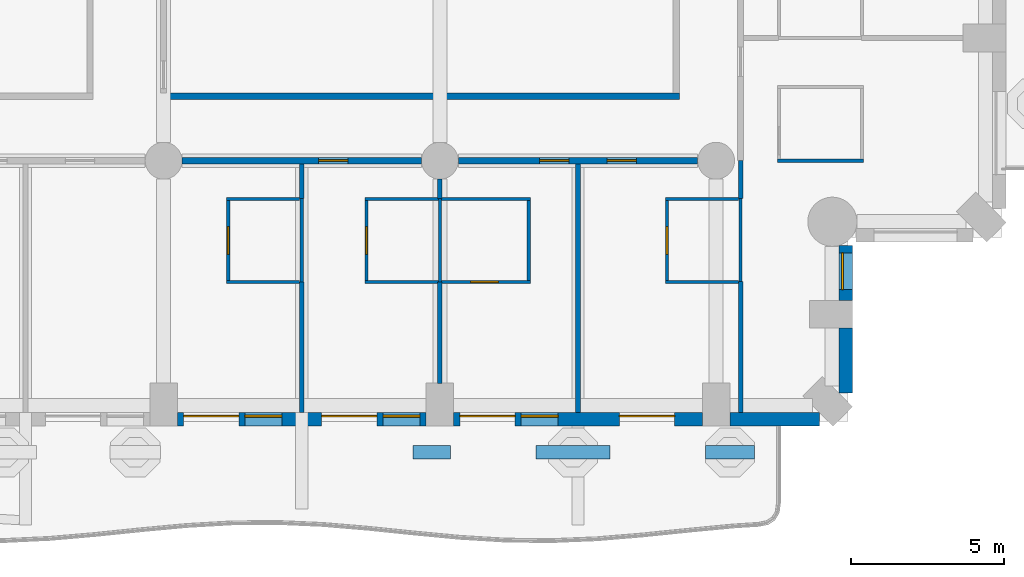
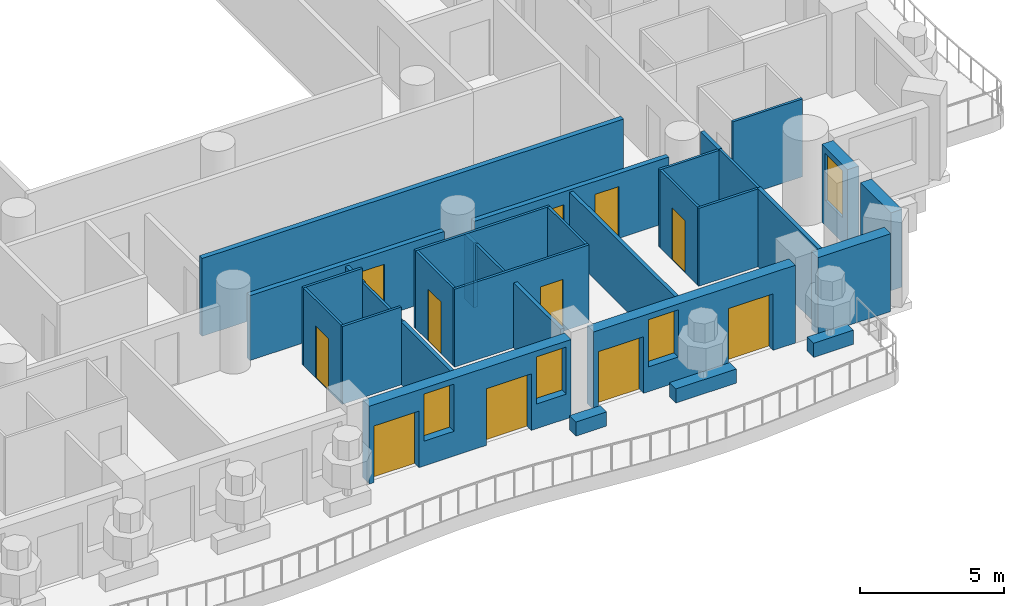
# One storey, part 5 of 20: 32 walls, 11 doors, 4 windows, 15 openings.
"""IFC4 building model written with IfcOpenShell, lengths in metres."""

from ifc_helpers import new_model, si_unit, direction, frame, frame_2d, origin, place, context, subcontext, project, spatial, rectangle, extrude, material, layer, layer_set, type_object, element, fill, save


model = new_model("IFC4")

# Units and contexts
model_context = context("Model", 3, precision=1e-05, world=origin(), true_north=direction((0.0, 1.0)))
body_context = subcontext(model_context, "Body", "Model", "MODEL_VIEW")
ifc_project = project(units=[si_unit("LENGTHUNIT", "METRE"), si_unit("AREAUNIT", "SQUARE_METRE"), si_unit("VOLUMEUNIT", "CUBIC_METRE"), si_unit("PLANEANGLEUNIT", "RADIAN"), si_unit("MASSUNIT", "GRAM", prefix="KILO")], contexts=[model_context])

# Site, building, storey
site_placement = place(None, origin())
site = spatial("IfcSite", under=ifc_project, at=site_placement, CompositionType="ELEMENT")
building_placement = place(site_placement, origin())
building = spatial("IfcBuilding", under=site, at=building_placement, Name="Cypress Arch Tower", CompositionType="ELEMENT")
storey_placement = place(building_placement, frame((0.0, 0.0, 59.10009765625)))
storey = spatial("IfcBuildingStorey", under=building, at=storey_placement, Name="L08", CompositionType="ELEMENT", Elevation=59.10009765625)

# Walls
ifc_material_1 = material(Name="Concrete C40/50, waterproofed", Category="concrete")
ifc_layer_1 = layer(ifc_material_1, 0.449951171875)
ifc_layer_set_1 = layer_set([ifc_layer_1], Name="Balcony planter wall PW450")
wall_type_1 = type_object("IfcWallType", Name="Balcony planter wall PW450", PredefinedType="SOLIDWALL", material=ifc_layer_set_1)
wall_1_placement = place(storey_placement, frame((5.419921875, -27.0, 0.0), z_axis=(0.0, 0.0, 1.0), x_axis=(1.0, 0.0, 0.0)))
element("IfcWall", 1, at=wall_1_placement, inside=storey, type_object=wall_type_1, Name="Balcony planter wall L08-A03.5", PredefinedType="SOLIDWALL", context=body_context, shape_type="SweptSolid", body=[
    extrude(rectangle(XDim=1.22998046875, YDim=0.449951171875, at=frame_2d((0.614990234375, 0.0))), origin(), (0.0, 0.0, 1.0), 0.599853515625),
])
wall_2_placement = place(storey_placement, frame((9.429931640625, -27.0, 0.0), z_axis=(0.0, 0.0, 1.0), x_axis=(1.0, 0.0, 0.0)))
element("IfcWall", 2, at=wall_2_placement, inside=storey, type_object=wall_type_1, Name="Balcony planter wall L08-A03.6", PredefinedType="SOLIDWALL", context=body_context, shape_type="SweptSolid", body=[
    extrude(rectangle(XDim=2.420166015625, YDim=0.449951171875, at=frame_2d((1.2099609375, 0.0))), origin(), (0.0, 0.0, 1.0), 0.599853515625),
])
wall_3_placement = place(storey_placement, frame((14.949951171875, -27.0, 0.0), z_axis=(0.0, 0.0, 1.0), x_axis=(1.0, 0.0, 0.0)))
element("IfcWall", 3, at=wall_3_placement, inside=storey, type_object=wall_type_1, Name="Balcony planter wall L08-A03.7", PredefinedType="SOLIDWALL", context=body_context, shape_type="SweptSolid", body=[
    extrude(rectangle(XDim=1.60009765625, YDim=0.449951171875, at=frame_2d((0.800048828125, 0.0))), origin(), (0.0, 0.0, 1.0), 0.599853515625),
])

# Wall, openings, doors, windows
ifc_material_2 = material(Name="Brick (red buff blend)", Category="masonry")
ifc_layer_2 = layer(ifc_material_2, 0.449951171875)
ifc_layer_set_2 = layer_set([ifc_layer_2], Name="Brick pier and spandrel wall BW450")
wall_type_2 = type_object("IfcWallType", Name="Brick pier and spandrel wall BW450", PredefinedType="SOLIDWALL", material=ifc_layer_set_2)
wall_4_placement = place(storey_placement, frame((-2.25, -25.925048828125, 0.0), z_axis=(0.0, 0.0, 1.0), x_axis=(1.0, 0.0, 0.0)))
wall_4 = element("IfcWall", 4, at=wall_4_placement, inside=storey, type_object=wall_type_2, Name="Brick wall L08 A03.3", PredefinedType="SOLIDWALL", context=body_context, shape_type="SweptSolid", body=[
    extrude(rectangle(XDim=8.10009765625, YDim=0.449951171875, at=frame_2d((4.050048828125, 0.0))), origin(), (0.0, 0.0, 1.0), 3.2998046875),
])
opening_1_placement = place(wall_4_placement, frame((0.199951171875, 0.0, 0.0)))
opening_1 = element("IfcOpeningElement", 5, at=opening_1_placement, cuts=wall_4, Name="Opening D-L08-A03.3.1", PredefinedType="OPENING", context=body_context, shape_type="SweptSolid", body=[
    extrude(rectangle(XDim=1.800048828125, YDim=2.39990234375, at=frame_2d((0.89990234375, 1.199951171875))), frame((0.0, 0.23486328125, 0.0), z_axis=(0.0, -1.0, 0.0), x_axis=(1.0, 0.0, 0.0)), (0.0, 0.0, 1.0), 0.469970703125),
])
opening_2_placement = place(wall_4_placement, frame((2.199951171875, 0.0, 1.050048828125)))
opening_2 = element("IfcOpeningElement", 6, at=opening_2_placement, cuts=wall_4, Name="Opening W120HD", PredefinedType="OPENING", context=body_context, shape_type="SweptSolid", body=[
    extrude(rectangle(XDim=1.199951171875, YDim=2.0, at=frame_2d((0.60009765625, 1.0))), frame((0.0, 0.23486328125, 0.0), z_axis=(0.0, -1.0, 0.0), x_axis=(1.0, 0.0, 0.0)), (0.0, 0.0, 1.0), 0.469970703125),
])
opening_3_placement = place(wall_4_placement, frame((4.699951171875, 0.0, 0.0)))
opening_3 = element("IfcOpeningElement", 7, at=opening_3_placement, cuts=wall_4, Name="Opening D-L08-A03.3.2", PredefinedType="OPENING", context=body_context, shape_type="SweptSolid", body=[
    extrude(rectangle(XDim=1.800048828125, YDim=2.39990234375, at=frame_2d((0.89990234375, 1.199951171875))), frame((0.0, 0.23486328125, 0.0), z_axis=(0.0, -1.0, 0.0), x_axis=(1.0, 0.0, 0.0)), (0.0, 0.0, 1.0), 0.469970703125),
])
opening_4_placement = place(wall_4_placement, frame((6.699951171875, 0.0, 1.050048828125)))
opening_4 = element("IfcOpeningElement", 8, at=opening_4_placement, cuts=wall_4, Name="Opening W120HD", PredefinedType="OPENING", context=body_context, shape_type="SweptSolid", body=[
    extrude(rectangle(XDim=1.199951171875, YDim=2.0, at=frame_2d((0.60009765625, 1.0))), frame((0.0, 0.23486328125, 0.0), z_axis=(0.0, -1.0, 0.0), x_axis=(1.0, 0.0, 0.0)), (0.0, 0.0, 1.0), 0.469970703125),
])
ifc_material_3 = material(Name="Anodised aluminium, bronze finish, laminated low-emissivity double glazing, large-missile impact rated", Category="aluminium")
door_type_1 = type_object("IfcDoorType", Name="Balcony sliding door 1800x2400", OperationType="SLIDING_TO_LEFT", PredefinedType="DOOR", material=ifc_material_3)
door_1_placement = place(opening_1_placement, origin())
door_1 = element("IfcDoor", 9, at=door_1_placement, inside=storey, type_object=door_type_1, Name="Balcony door L08 A03.3.1", OperationType="SLIDING_TO_LEFT", OverallHeight=2.39990234375, OverallWidth=1.800048828125, PredefinedType="DOOR", context=body_context, shape_type="SweptSolid", body=[
    extrude(rectangle(XDim=1.800048828125, YDim=2.39990234375, at=frame_2d((0.89990234375, 1.199951171875))), frame((0.0, 0.1298828125, 0.0), z_axis=(0.0, -1.0, 0.0), x_axis=(1.0, 0.0, 0.0)), (0.0, 0.0, 1.0), 0.050048828125),
])
fill(opening_1, door_1)
door_2_placement = place(opening_3_placement, origin())
door_2 = element("IfcDoor", 10, at=door_2_placement, inside=storey, type_object=door_type_1, Name="Balcony door L08 A03.3.2", OperationType="SLIDING_TO_LEFT", OverallHeight=2.39990234375, OverallWidth=1.800048828125, PredefinedType="DOOR", context=body_context, shape_type="SweptSolid", body=[
    extrude(rectangle(XDim=1.800048828125, YDim=2.39990234375, at=frame_2d((0.89990234375, 1.199951171875))), frame((0.0, 0.1298828125, 0.0), z_axis=(0.0, -1.0, 0.0), x_axis=(1.0, 0.0, 0.0)), (0.0, 0.0, 1.0), 0.050048828125),
])
fill(opening_3, door_2)
ifc_material_4 = material(Name="Anodised aluminium, bronze finish, laminated low-emissivity double glazing, large-missile impact rated", Category="aluminium")
window_type_1 = type_object("IfcWindowType", Name="Window Hotel 1200x2000 debris-rated", PartitioningType="SINGLE_PANEL", PredefinedType="WINDOW", material=ifc_material_4)
window_1_placement = place(opening_2_placement, origin())
window_1 = element("IfcWindow", 11, at=window_1_placement, inside=storey, type_object=window_type_1, Name="Window L08 A03.3.1", OverallHeight=2.0, OverallWidth=1.199951171875, PartitioningType="SINGLE_PANEL", PredefinedType="WINDOW", context=body_context, shape_type="SweptSolid", body=[
    extrude(rectangle(XDim=1.199951171875, YDim=2.0, at=frame_2d((0.60009765625, 1.0))), frame((0.0, 0.135009765625, 0.0), z_axis=(0.0, -1.0, 0.0), x_axis=(1.0, 0.0, 0.0)), (0.0, 0.0, 1.0), 0.06005859375),
])
fill(opening_2, window_1)
window_2_placement = place(opening_4_placement, origin())
window_2 = element("IfcWindow", 12, at=window_2_placement, inside=storey, type_object=window_type_1, Name="Window L08 A03.3.2", OverallHeight=2.0, OverallWidth=1.199951171875, PartitioningType="SINGLE_PANEL", PredefinedType="WINDOW", context=body_context, shape_type="SweptSolid", body=[
    extrude(rectangle(XDim=1.199951171875, YDim=2.0, at=frame_2d((0.60009765625, 1.0))), frame((0.0, 0.135009765625, 0.0), z_axis=(0.0, -1.0, 0.0), x_axis=(1.0, 0.0, 0.0)), (0.0, 0.0, 1.0), 0.06005859375),
])
fill(opening_4, window_2)

# Wall, openings, doors, window
wall_5_placement = place(storey_placement, frame((6.75, -25.925048828125, 0.0), z_axis=(0.0, 0.0, 1.0), x_axis=(1.0, 0.0, 0.0)))
wall_5 = element("IfcWall", 13, at=wall_5_placement, inside=storey, type_object=wall_type_2, Name="Brick wall L08 A03.4", PredefinedType="SOLIDWALL", context=body_context, shape_type="SweptSolid", body=[
    extrude(rectangle(XDim=8.10009765625, YDim=0.449951171875, at=frame_2d((4.050048828125, 0.0))), origin(), (0.0, 0.0, 1.0), 3.2998046875),
])
opening_5_placement = place(wall_5_placement, frame((0.199951171875, 0.0, 0.0)))
opening_5 = element("IfcOpeningElement", 14, at=opening_5_placement, cuts=wall_5, Name="Opening D-L08-A03.4.1", PredefinedType="OPENING", context=body_context, shape_type="SweptSolid", body=[
    extrude(rectangle(XDim=1.800048828125, YDim=2.39990234375, at=frame_2d((0.89990234375, 1.199951171875))), frame((0.0, 0.23486328125, 0.0), z_axis=(0.0, -1.0, 0.0), x_axis=(1.0, 0.0, 0.0)), (0.0, 0.0, 1.0), 0.469970703125),
])
opening_6_placement = place(wall_5_placement, frame((2.199951171875, 0.0, 1.050048828125)))
opening_6 = element("IfcOpeningElement", 15, at=opening_6_placement, cuts=wall_5, Name="Opening W120HD", PredefinedType="OPENING", context=body_context, shape_type="SweptSolid", body=[
    extrude(rectangle(XDim=1.199951171875, YDim=2.0, at=frame_2d((0.60009765625, 1.0))), frame((0.0, 0.23486328125, 0.0), z_axis=(0.0, -1.0, 0.0), x_axis=(1.0, 0.0, 0.0)), (0.0, 0.0, 1.0), 0.469970703125),
])
opening_7_placement = place(wall_5_placement, frame((5.39990234375, 0.0, 0.0)))
opening_7 = element("IfcOpeningElement", 16, at=opening_7_placement, cuts=wall_5, Name="Opening D-L08-A03.4.2", PredefinedType="OPENING", context=body_context, shape_type="SweptSolid", body=[
    extrude(rectangle(XDim=1.800048828125, YDim=2.39990234375, at=frame_2d((0.89990234375, 1.199951171875))), frame((0.0, 0.23486328125, 0.0), z_axis=(0.0, -1.0, 0.0), x_axis=(1.0, 0.0, 0.0)), (0.0, 0.0, 1.0), 0.469970703125),
])
door_3_placement = place(opening_5_placement, origin())
door_3 = element("IfcDoor", 17, at=door_3_placement, inside=storey, type_object=door_type_1, Name="Balcony door L08 A03.4.1", OperationType="SLIDING_TO_LEFT", OverallHeight=2.39990234375, OverallWidth=1.800048828125, PredefinedType="DOOR", context=body_context, shape_type="SweptSolid", body=[
    extrude(rectangle(XDim=1.800048828125, YDim=2.39990234375, at=frame_2d((0.89990234375, 1.199951171875))), frame((0.0, 0.1298828125, 0.0), z_axis=(0.0, -1.0, 0.0), x_axis=(1.0, 0.0, 0.0)), (0.0, 0.0, 1.0), 0.050048828125),
])
fill(opening_5, door_3)
door_4_placement = place(opening_7_placement, origin())
door_4 = element("IfcDoor", 18, at=door_4_placement, inside=storey, type_object=door_type_1, Name="Balcony door L08 A03.4.2", OperationType="SLIDING_TO_LEFT", OverallHeight=2.39990234375, OverallWidth=1.800048828125, PredefinedType="DOOR", context=body_context, shape_type="SweptSolid", body=[
    extrude(rectangle(XDim=1.800048828125, YDim=2.39990234375, at=frame_2d((0.89990234375, 1.199951171875))), frame((0.0, 0.1298828125, 0.0), z_axis=(0.0, -1.0, 0.0), x_axis=(1.0, 0.0, 0.0)), (0.0, 0.0, 1.0), 0.050048828125),
])
fill(opening_7, door_4)
window_3_placement = place(opening_6_placement, origin())
window_3 = element("IfcWindow", 19, at=window_3_placement, inside=storey, type_object=window_type_1, Name="Window L08 A03.4.1", OverallHeight=2.0, OverallWidth=1.199951171875, PartitioningType="SINGLE_PANEL", PredefinedType="WINDOW", context=body_context, shape_type="SweptSolid", body=[
    extrude(rectangle(XDim=1.199951171875, YDim=2.0, at=frame_2d((0.60009765625, 1.0))), frame((0.0, 0.135009765625, 0.0), z_axis=(0.0, -1.0, 0.0), x_axis=(1.0, 0.0, 0.0)), (0.0, 0.0, 1.0), 0.06005859375),
])
fill(opening_6, window_3)

# Walls
wall_6_placement = place(storey_placement, frame((15.75, -25.925048828125, 0.0), z_axis=(0.0, 0.0, 1.0), x_axis=(1.0, 0.0, 0.0)))
element("IfcWall", 20, at=wall_6_placement, inside=storey, type_object=wall_type_2, Name="Brick wall L08 A03.5", PredefinedType="SOLIDWALL", context=body_context, shape_type="SweptSolid", body=[
    extrude(rectangle(XDim=2.91357421875, YDim=0.449951171875, at=frame_2d((1.456787109375, 0.0))), origin(), (0.0, 0.0, 1.0), 3.2998046875),
])
wall_7_placement = place(storey_placement, frame((19.52490234375, -25.063720703125, 0.0), z_axis=(0.0, 0.0, 1.0), x_axis=(0.0, 1.0, 0.0)))
element("IfcWall", 21, at=wall_7_placement, inside=storey, type_object=wall_type_2, Name="Brick wall L08 A04.0", PredefinedType="SOLIDWALL", context=body_context, shape_type="SweptSolid", body=[
    extrude(rectangle(XDim=2.11376953125, YDim=0.449951171875, at=frame_2d((1.056884765625, 0.0))), origin(), (0.0, 0.0, 1.0), 3.2998046875),
])

# Wall, opening, window
wall_8_placement = place(storey_placement, frame((19.52490234375, -22.050048828125, 0.0), z_axis=(0.0, 0.0, 1.0), x_axis=(0.0, 1.0, 0.0)))
wall_8 = element("IfcWall", 22, at=wall_8_placement, inside=storey, type_object=wall_type_2, Name="Brick wall L08 A04.1", PredefinedType="SOLIDWALL", context=body_context, shape_type="SweptSolid", body=[
    extrude(rectangle(XDim=1.79150390625, YDim=0.449951171875, at=frame_2d((0.895751953125, 0.0))), origin(), (0.0, 0.0, 1.0), 3.2998046875),
])
opening_8_placement = place(wall_8_placement, frame((0.35009765625, 0.0, 1.050048828125)))
opening_8 = element("IfcOpeningElement", 23, at=opening_8_placement, cuts=wall_8, Name="Opening W120H", PredefinedType="OPENING", context=body_context, shape_type="SweptSolid", body=[
    extrude(rectangle(XDim=1.199951171875, YDim=2.0, at=frame_2d((0.60009765625, 1.0))), frame((0.0, 0.23486328125, 0.0), z_axis=(0.0, -1.0, 0.0), x_axis=(1.0, 0.0, 0.0)), (0.0, 0.0, 1.0), 0.469970703125),
])
ifc_material_5 = material(Name="Anodised aluminium, bronze finish, clear low-emissivity double glazing", Category="aluminium")
window_type_2 = type_object("IfcWindowType", Name="Window Hotel 1200x2000", PartitioningType="SINGLE_PANEL", PredefinedType="WINDOW", material=ifc_material_5)
window_4_placement = place(opening_8_placement, origin())
window_4 = element("IfcWindow", 24, at=window_4_placement, inside=storey, type_object=window_type_2, Name="Window L08 A04.1.1", OverallHeight=2.0, OverallWidth=1.199951171875, PartitioningType="SINGLE_PANEL", PredefinedType="WINDOW", context=body_context, shape_type="SweptSolid", body=[
    extrude(rectangle(XDim=1.199951171875, YDim=2.0, at=frame_2d((0.60009765625, 1.0))), frame((0.0, 0.135009765625, 0.0), z_axis=(0.0, -1.0, 0.0), x_axis=(1.0, 0.0, 0.0)), (0.0, 0.0, 1.0), 0.06005859375),
])
fill(opening_8, window_4)

# Wall, opening, door
ifc_material_6 = material(Name="Concrete blockwork, plastered, rated", Category="masonry")
ifc_layer_3 = layer(ifc_material_6, 0.199951171875)
ifc_layer_set_3 = layer_set([ifc_layer_3], Name="Corridor wall FW200")
wall_type_3 = type_object("IfcWallType", Name="Corridor wall FW200", PredefinedType="PARTITIONING", material=ifc_layer_set_3)
wall_9_placement = place(storey_placement, frame((-2.10009765625, -17.5, 0.0), z_axis=(0.0, 0.0, 1.0), x_axis=(1.0, 0.0, 0.0)))
wall_9 = element("IfcWall", 25, at=wall_9_placement, inside=storey, type_object=wall_type_3, Name="Corridor wall", PredefinedType="PARTITIONING", context=body_context, shape_type="SweptSolid", body=[
    extrude(rectangle(XDim=7.800048828125, YDim=0.199951171875, at=frame_2d((3.89990234375, 0.0))), origin(), (0.0, 0.0, 1.0), 2.75),
])
opening_9_placement = place(wall_9_placement, frame((4.449951171875, 0.0, 0.0)))
opening_9 = element("IfcOpeningElement", 26, at=opening_9_placement, cuts=wall_9, Name="Opening D02", PredefinedType="OPENING", context=body_context, shape_type="SweptSolid", body=[
    extrude(rectangle(XDim=0.949951171875, YDim=2.199951171875, at=frame_2d((0.47509765625, 1.10009765625))), frame((0.0, 0.10986328125, 0.0), z_axis=(0.0, -1.0, 0.0), x_axis=(1.0, 0.0, 0.0)), (0.0, 0.0, 1.0), 0.219970703125),
])
ifc_material_7 = material(Name="Timber flush door, fire resisting", Category="wood")
door_type_2 = type_object("IfcDoorType", Name="Room door D02 950x2200", OperationType="SINGLE_SWING_LEFT", PredefinedType="DOOR", material=ifc_material_7)
door_5_placement = place(opening_9_placement, origin())
door_5 = element("IfcDoor", 27, at=door_5_placement, inside=storey, type_object=door_type_2, Name="Room door", OperationType="SINGLE_SWING_RIGHT", OverallHeight=2.199951171875, OverallWidth=0.949951171875, PredefinedType="DOOR", context=body_context, shape_type="SweptSolid", body=[
    extrude(rectangle(XDim=0.949951171875, YDim=2.199951171875, at=frame_2d((0.47509765625, 1.10009765625))), frame((0.0, 0.02490234375, 0.0), z_axis=(0.0, -1.0, 0.0), x_axis=(1.0, 0.0, 0.0)), (0.0, 0.0, 1.0), 0.050048828125),
])
fill(opening_9, door_5)

# Wall, openings, doors
wall_10_placement = place(storey_placement, frame((6.89990234375, -17.5, 0.0), z_axis=(0.0, 0.0, 1.0), x_axis=(1.0, 0.0, 0.0)))
wall_10 = element("IfcWall", 28, at=wall_10_placement, inside=storey, type_object=wall_type_3, Name="Corridor wall", PredefinedType="PARTITIONING", context=body_context, shape_type="SweptSolid", body=[
    extrude(rectangle(XDim=7.800048828125, YDim=0.199951171875, at=frame_2d((3.89990234375, 0.0))), origin(), (0.0, 0.0, 1.0), 2.75),
])
opening_10_placement = place(wall_10_placement, frame((2.64990234375, 0.0, 0.0)))
opening_10 = element("IfcOpeningElement", 29, at=opening_10_placement, cuts=wall_10, Name="Opening D02", PredefinedType="OPENING", context=body_context, shape_type="SweptSolid", body=[
    extrude(rectangle(XDim=0.949951171875, YDim=2.199951171875, at=frame_2d((0.47509765625, 1.10009765625))), frame((0.0, 0.10986328125, 0.0), z_axis=(0.0, -1.0, 0.0), x_axis=(1.0, 0.0, 0.0)), (0.0, 0.0, 1.0), 0.219970703125),
])
opening_11_placement = place(wall_10_placement, frame((4.85009765625, 0.0, 0.0)))
opening_11 = element("IfcOpeningElement", 30, at=opening_11_placement, cuts=wall_10, Name="Opening D02", PredefinedType="OPENING", context=body_context, shape_type="SweptSolid", body=[
    extrude(rectangle(XDim=0.949951171875, YDim=2.199951171875, at=frame_2d((0.47509765625, 1.10009765625))), frame((0.0, 0.10986328125, 0.0), z_axis=(0.0, -1.0, 0.0), x_axis=(1.0, 0.0, 0.0)), (0.0, 0.0, 1.0), 0.219970703125),
])
door_6_placement = place(opening_10_placement, origin())
door_6 = element("IfcDoor", 31, at=door_6_placement, inside=storey, type_object=door_type_2, Name="Room door", OperationType="SINGLE_SWING_LEFT", OverallHeight=2.199951171875, OverallWidth=0.949951171875, PredefinedType="DOOR", context=body_context, shape_type="SweptSolid", body=[
    extrude(rectangle(XDim=0.949951171875, YDim=2.199951171875, at=frame_2d((0.47509765625, 1.10009765625))), frame((0.0, 0.02490234375, 0.0), z_axis=(0.0, -1.0, 0.0), x_axis=(1.0, 0.0, 0.0)), (0.0, 0.0, 1.0), 0.050048828125),
])
fill(opening_10, door_6)
door_7_placement = place(opening_11_placement, origin())
door_7 = element("IfcDoor", 32, at=door_7_placement, inside=storey, type_object=door_type_2, Name="Room door", OperationType="SINGLE_SWING_RIGHT", OverallHeight=2.199951171875, OverallWidth=0.949951171875, PredefinedType="DOOR", context=body_context, shape_type="SweptSolid", body=[
    extrude(rectangle(XDim=0.949951171875, YDim=2.199951171875, at=frame_2d((0.47509765625, 1.10009765625))), frame((0.0, 0.02490234375, 0.0), z_axis=(0.0, -1.0, 0.0), x_axis=(1.0, 0.0, 0.0)), (0.0, 0.0, 1.0), 0.050048828125),
])
fill(opening_11, door_7)

# Walls
wall_11_placement = place(storey_placement, frame((-2.800048828125, -15.39990234375, 0.0), z_axis=(0.0, 0.0, 1.0), x_axis=(1.0, 0.0, 0.0)))
element("IfcWall", 33, at=wall_11_placement, inside=storey, type_object=wall_type_3, Name="Corridor wall", PredefinedType="PARTITIONING", context=body_context, shape_type="SweptSolid", body=[
    extrude(rectangle(XDim=16.900146484375, YDim=0.199951171875, at=frame_2d((8.4501953125, 0.0))), origin(), (0.0, 0.0, 1.0), 3.2998046875),
])
ifc_material_8 = material(Name="Blockwork, plastered both sides", Category="masonry")
ifc_layer_4 = layer(ifc_material_8, 0.14990234375)
ifc_layer_set_4 = layer_set([ifc_layer_4], Name="Partition PW150")
wall_type_4 = type_object("IfcWallType", Name="Partition PW150", PredefinedType="PARTITIONING", material=ifc_layer_set_4)
wall_12_placement = place(storey_placement, frame((1.800048828125, -25.699951171875, 0.0), z_axis=(0.0, 0.0, 1.0), x_axis=(0.0, 1.0, 0.0)))
element("IfcWall", 34, at=wall_12_placement, inside=storey, type_object=wall_type_4, Name="Partition", PredefinedType="PARTITIONING", context=body_context, shape_type="SweptSolid", body=[
    extrude(rectangle(XDim=4.25, YDim=0.14990234375, at=frame_2d((2.125, 0.0))), origin(), (0.0, 0.0, 1.0), 2.64990234375),
])
wall_13_placement = place(storey_placement, frame((1.800048828125, -18.72998046875, 0.0), z_axis=(0.0, 0.0, 1.0), x_axis=(0.0, 1.0, 0.0)))
element("IfcWall", 35, at=wall_13_placement, inside=storey, type_object=wall_type_4, Name="Partition", PredefinedType="PARTITIONING", context=body_context, shape_type="SweptSolid", body=[
    extrude(rectangle(XDim=1.1298828125, YDim=0.14990234375, at=frame_2d((0.56494140625, 0.0))), origin(), (0.0, 0.0, 1.0), 2.64990234375),
])
wall_14_placement = place(storey_placement, frame((6.300048828125, -24.75, 0.0), z_axis=(0.0, 0.0, 1.0), x_axis=(0.0, 1.0, 0.0)))
element("IfcWall", 36, at=wall_14_placement, inside=storey, type_object=wall_type_4, Name="Partition", PredefinedType="PARTITIONING", context=body_context, shape_type="SweptSolid", body=[
    extrude(rectangle(XDim=3.300048828125, YDim=0.14990234375, at=frame_2d((1.64990234375, 0.0))), origin(), (0.0, 0.0, 1.0), 2.75),
])
wall_15_placement = place(storey_placement, frame((6.300048828125, -18.72998046875, 0.0), z_axis=(0.0, 0.0, 1.0), x_axis=(0.0, 1.0, 0.0)))
element("IfcWall", 37, at=wall_15_placement, inside=storey, type_object=wall_type_4, Name="Partition", PredefinedType="PARTITIONING", context=body_context, shape_type="SweptSolid", body=[
    extrude(rectangle(XDim=0.6298828125, YDim=0.14990234375, at=frame_2d((0.31494140625, 0.0))), origin(), (0.0, 0.0, 1.0), 2.75),
])
wall_16_placement = place(storey_placement, frame((10.800048828125, -25.699951171875, 0.0), z_axis=(0.0, 0.0, 1.0), x_axis=(0.0, 1.0, 0.0)))
element("IfcWall", 38, at=wall_16_placement, inside=storey, type_object=wall_type_4, Name="Partition", PredefinedType="PARTITIONING", context=body_context, shape_type="SweptSolid", body=[
    extrude(rectangle(XDim=8.099853515625, YDim=0.14990234375, at=frame_2d((4.0498046875, 0.0))), origin(), (0.0, 0.0, 1.0), 2.64990234375),
])
wall_17_placement = place(storey_placement, frame((16.10009765625, -25.699951171875, 0.0), z_axis=(0.0, 0.0, 1.0), x_axis=(0.0, 1.0, 0.0)))
element("IfcWall", 39, at=wall_17_placement, inside=storey, type_object=wall_type_4, Name="Partition", PredefinedType="PARTITIONING", context=body_context, shape_type="SweptSolid", body=[
    extrude(rectangle(XDim=4.27001953125, YDim=0.14990234375, at=frame_2d((2.135009765625, 0.0))), origin(), (0.0, 0.0, 1.0), 3.2998046875),
])
wall_18_placement = place(storey_placement, frame((16.10009765625, -18.72998046875, 0.0), z_axis=(0.0, 0.0, 1.0), x_axis=(0.0, 1.0, 0.0)))
element("IfcWall", 40, at=wall_18_placement, inside=storey, type_object=wall_type_4, Name="Partition", PredefinedType="PARTITIONING", context=body_context, shape_type="SweptSolid", body=[
    extrude(rectangle(XDim=1.22998046875, YDim=0.14990234375, at=frame_2d((0.614990234375, 0.0))), origin(), (0.0, 0.0, 1.0), 3.2998046875),
])

# Wall, opening, door
ifc_material_9 = material(Name="Moisture resistant board on steel studs, tiled", Category="steel")
ifc_layer_5 = layer(ifc_material_9, 0.10009765625)
ifc_layer_set_5 = layer_set([ifc_layer_5], Name="Wet wall PW100")
wall_type_5 = type_object("IfcWallType", Name="Wet wall PW100", PredefinedType="PARTITIONING", material=ifc_layer_set_5)
wall_19_placement = place(storey_placement, frame((-0.595947265625, -21.39990234375, 0.0), z_axis=(0.0, 0.0, 1.0), x_axis=(0.0, 1.0, 0.0)))
wall_19 = element("IfcWall", 41, at=wall_19_placement, inside=storey, type_object=wall_type_5, Name="Wet wall", PredefinedType="PARTITIONING", context=body_context, shape_type="SweptSolid", body=[
    extrude(rectangle(XDim=2.599853515625, YDim=0.10009765625, at=frame_2d((1.2998046875, 0.0))), origin(), (0.0, 0.0, 1.0), 3.2998046875),
])
opening_12_placement = place(wall_19_placement, frame((0.85009765625, 0.0, 0.0)))
opening_12 = element("IfcOpeningElement", 42, at=opening_12_placement, cuts=wall_19, Name="Opening D03", PredefinedType="OPENING", context=body_context, shape_type="SweptSolid", body=[
    extrude(rectangle(XDim=0.89990234375, YDim=2.199951171875, at=frame_2d((0.449951171875, 1.10009765625))), frame((0.0, 0.06005859375, 0.0), z_axis=(0.0, -1.0, 0.0), x_axis=(1.0, 0.0, 0.0)), (0.0, 0.0, 1.0), 0.1201171875),
])
ifc_material_10 = material(Name="Timber flush door, moisture resistant", Category="wood")
door_type_3 = type_object("IfcDoorType", Name="Bathroom door D03 900x2200", OperationType="SINGLE_SWING_LEFT", PredefinedType="DOOR", material=ifc_material_10)
door_8_placement = place(opening_12_placement, origin())
door_8 = element("IfcDoor", 43, at=door_8_placement, inside=storey, type_object=door_type_3, Name="Bathroom door", OperationType="SINGLE_SWING_LEFT", OverallHeight=2.199951171875, OverallWidth=0.89990234375, PredefinedType="DOOR", context=body_context, shape_type="SweptSolid", body=[
    extrude(rectangle(XDim=0.89990234375, YDim=2.199951171875, at=frame_2d((0.449951171875, 1.10009765625))), frame((0.0, 0.02490234375, 0.0), z_axis=(0.0, -1.0, 0.0), x_axis=(1.0, 0.0, 0.0)), (0.0, 0.0, 1.0), 0.050048828125),
])
fill(opening_12, door_8)

# Walls
for number, where, z_axis, x_axis, name in (
    (44, (-0.64599609375, -21.449951171875, 0.0), (0.0, 0.0, 1.0), (1.0, 0.0, 0.0), "Wet wall"),
    (45, (-0.64599609375, -18.75, 0.0), (0.0, 0.0, 1.0), (1.0, 0.0, 0.0), "Wet wall"),
):
    element("IfcWall", number, at=place(storey_placement, frame(where, z_axis=z_axis, x_axis=x_axis)), inside=storey, type_object=wall_type_5, Name=name, PredefinedType="PARTITIONING", context=body_context, shape_type="SweptSolid", body=[
        extrude(rectangle(XDim=2.37109375, YDim=0.10009765625, at=frame_2d((1.185546875, 0.0))), origin(), (0.0, 0.0, 1.0), 3.2998046875),
    ])
wall_20_placement = place(storey_placement, frame((1.800048828125, -21.449951171875, 0.0), z_axis=(0.0, 0.0, 1.0), x_axis=(0.0, 1.0, 0.0)))
element("IfcWall", 46, at=wall_20_placement, inside=storey, type_object=wall_type_5, Name="Wet wall", PredefinedType="PARTITIONING", context=body_context, shape_type="SweptSolid", body=[
    extrude(rectangle(XDim=2.719970703125, YDim=0.10009765625, at=frame_2d((1.35986328125, 0.0))), origin(), (0.0, 0.0, 1.0), 2.64990234375),
])

# Wall, opening, door
wall_21_placement = place(storey_placement, frame((3.904052734375, -21.39990234375, 0.0), z_axis=(0.0, 0.0, 1.0), x_axis=(0.0, 1.0, 0.0)))
wall_21 = element("IfcWall", 47, at=wall_21_placement, inside=storey, type_object=wall_type_5, Name="Wet wall", PredefinedType="PARTITIONING", context=body_context, shape_type="SweptSolid", body=[
    extrude(rectangle(XDim=2.599853515625, YDim=0.10009765625, at=frame_2d((1.2998046875, 0.0))), origin(), (0.0, 0.0, 1.0), 3.2998046875),
])
opening_13_placement = place(wall_21_placement, frame((0.85009765625, 0.0, 0.0)))
opening_13 = element("IfcOpeningElement", 48, at=opening_13_placement, cuts=wall_21, Name="Opening D03", PredefinedType="OPENING", context=body_context, shape_type="SweptSolid", body=[
    extrude(rectangle(XDim=0.89990234375, YDim=2.199951171875, at=frame_2d((0.449951171875, 1.10009765625))), frame((0.0, 0.06005859375, 0.0), z_axis=(0.0, -1.0, 0.0), x_axis=(1.0, 0.0, 0.0)), (0.0, 0.0, 1.0), 0.1201171875),
])
door_9_placement = place(opening_13_placement, origin())
door_9 = element("IfcDoor", 49, at=door_9_placement, inside=storey, type_object=door_type_3, Name="Bathroom door", OperationType="SINGLE_SWING_LEFT", OverallHeight=2.199951171875, OverallWidth=0.89990234375, PredefinedType="DOOR", context=body_context, shape_type="SweptSolid", body=[
    extrude(rectangle(XDim=0.89990234375, YDim=2.199951171875, at=frame_2d((0.449951171875, 1.10009765625))), frame((0.0, 0.02490234375, 0.0), z_axis=(0.0, -1.0, 0.0), x_axis=(1.0, 0.0, 0.0)), (0.0, 0.0, 1.0), 0.050048828125),
])
fill(opening_13, door_9)

wall_22_placement = place(storey_placement, frame((3.85400390625, -21.449951171875, 0.0), z_axis=(0.0, 0.0, 1.0), x_axis=(1.0, 0.0, 0.0)))
wall_22 = element("IfcWall", 50, at=wall_22_placement, inside=storey, type_object=wall_type_5, Name="Wet wall", PredefinedType="PARTITIONING", context=body_context, shape_type="SweptSolid", body=[
    extrude(rectangle(XDim=5.39208984375, YDim=0.10009765625, at=frame_2d((2.696044921875, 0.0))), origin(), (0.0, 0.0, 1.0), 3.2998046875),
])
opening_14_placement = place(wall_22_placement, frame((3.449951171875, 0.0, 0.0)))
opening_14 = element("IfcOpeningElement", 51, at=opening_14_placement, cuts=wall_22, Name="Opening D03", PredefinedType="OPENING", context=body_context, shape_type="SweptSolid", body=[
    extrude(rectangle(XDim=0.89990234375, YDim=2.199951171875, at=frame_2d((0.449951171875, 1.10009765625))), frame((0.0, 0.06005859375, 0.0), z_axis=(0.0, -1.0, 0.0), x_axis=(1.0, 0.0, 0.0)), (0.0, 0.0, 1.0), 0.1201171875),
])
door_10_placement = place(opening_14_placement, origin())
door_10 = element("IfcDoor", 52, at=door_10_placement, inside=storey, type_object=door_type_3, Name="Bathroom door", OperationType="SINGLE_SWING_RIGHT", OverallHeight=2.199951171875, OverallWidth=0.89990234375, PredefinedType="DOOR", context=body_context, shape_type="SweptSolid", body=[
    extrude(rectangle(XDim=0.89990234375, YDim=2.199951171875, at=frame_2d((0.449951171875, 1.10009765625))), frame((0.0, 0.02490234375, 0.0), z_axis=(0.0, -1.0, 0.0), x_axis=(1.0, 0.0, 0.0)), (0.0, 0.0, 1.0), 0.050048828125),
])
fill(opening_14, door_10)

# Walls
wall_23_placement = place(storey_placement, frame((3.85400390625, -18.75, 0.0), z_axis=(0.0, 0.0, 1.0), x_axis=(1.0, 0.0, 0.0)))
element("IfcWall", 53, at=wall_23_placement, inside=storey, type_object=wall_type_5, Name="Wet wall", PredefinedType="PARTITIONING", context=body_context, shape_type="SweptSolid", body=[
    extrude(rectangle(XDim=5.39208984375, YDim=0.10009765625, at=frame_2d((2.696044921875, 0.0))), origin(), (0.0, 0.0, 1.0), 3.2998046875),
])
wall_24_placement = place(storey_placement, frame((6.300048828125, -21.449951171875, 0.0), z_axis=(0.0, 0.0, 1.0), x_axis=(0.0, 1.0, 0.0)))
element("IfcWall", 54, at=wall_24_placement, inside=storey, type_object=wall_type_5, Name="Wet wall", PredefinedType="PARTITIONING", context=body_context, shape_type="SweptSolid", body=[
    extrude(rectangle(XDim=2.719970703125, YDim=0.10009765625, at=frame_2d((1.35986328125, 0.0))), origin(), (0.0, 0.0, 1.0), 2.75),
])
wall_25_placement = place(storey_placement, frame((9.196044921875, -21.39990234375, 0.0), z_axis=(0.0, 0.0, 1.0), x_axis=(0.0, 1.0, 0.0)))
element("IfcWall", 55, at=wall_25_placement, inside=storey, type_object=wall_type_5, Name="Wet wall", PredefinedType="PARTITIONING", context=body_context, shape_type="SweptSolid", body=[
    extrude(rectangle(XDim=2.599853515625, YDim=0.10009765625, at=frame_2d((1.2998046875, 0.0))), origin(), (0.0, 0.0, 1.0), 3.2998046875),
])

# Wall, opening, door
wall_26_placement = place(storey_placement, frame((13.699951171875, -21.39990234375, 0.0), z_axis=(0.0, 0.0, 1.0), x_axis=(0.0, 1.0, 0.0)))
wall_26 = element("IfcWall", 56, at=wall_26_placement, inside=storey, type_object=wall_type_5, Name="Wet wall", PredefinedType="PARTITIONING", context=body_context, shape_type="SweptSolid", body=[
    extrude(rectangle(XDim=2.599853515625, YDim=0.10009765625, at=frame_2d((1.2998046875, 0.0))), origin(), (0.0, 0.0, 1.0), 3.2998046875),
])
opening_15_placement = place(wall_26_placement, frame((0.85009765625, 0.0, 0.0)))
opening_15 = element("IfcOpeningElement", 57, at=opening_15_placement, cuts=wall_26, Name="Opening D03", PredefinedType="OPENING", context=body_context, shape_type="SweptSolid", body=[
    extrude(rectangle(XDim=0.89990234375, YDim=2.199951171875, at=frame_2d((0.449951171875, 1.10009765625))), frame((0.0, 0.06005859375, 0.0), z_axis=(0.0, -1.0, 0.0), x_axis=(1.0, 0.0, 0.0)), (0.0, 0.0, 1.0), 0.1201171875),
])
door_11_placement = place(opening_15_placement, origin())
door_11 = element("IfcDoor", 58, at=door_11_placement, inside=storey, type_object=door_type_3, Name="Bathroom door", OperationType="SINGLE_SWING_LEFT", OverallHeight=2.199951171875, OverallWidth=0.89990234375, PredefinedType="DOOR", context=body_context, shape_type="SweptSolid", body=[
    extrude(rectangle(XDim=0.89990234375, YDim=2.199951171875, at=frame_2d((0.449951171875, 1.10009765625))), frame((0.0, 0.02490234375, 0.0), z_axis=(0.0, -1.0, 0.0), x_axis=(1.0, 0.0, 0.0)), (0.0, 0.0, 1.0), 0.050048828125),
])
fill(opening_15, door_11)

# Walls
for number, where, z_axis, x_axis, name in (
    (59, (13.64990234375, -21.449951171875, 0.0), (0.0, 0.0, 1.0), (1.0, 0.0, 0.0), "Wet wall"),
    (60, (13.64990234375, -18.75, 0.0), (0.0, 0.0, 1.0), (1.0, 0.0, 0.0), "Wet wall"),
):
    element("IfcWall", number, at=place(storey_placement, frame(where, z_axis=z_axis, x_axis=x_axis)), inside=storey, type_object=wall_type_5, Name=name, PredefinedType="PARTITIONING", context=body_context, shape_type="SweptSolid", body=[
        extrude(rectangle(XDim=2.375, YDim=0.10009765625, at=frame_2d((1.1875, 0.0))), origin(), (0.0, 0.0, 1.0), 3.2998046875),
    ])
wall_27_placement = place(storey_placement, frame((16.10009765625, -21.429931640625, 0.0), z_axis=(0.0, 0.0, 1.0), x_axis=(0.0, 1.0, 0.0)))
element("IfcWall", 61, at=wall_27_placement, inside=storey, type_object=wall_type_5, Name="Wet wall", PredefinedType="PARTITIONING", context=body_context, shape_type="SweptSolid", body=[
    extrude(rectangle(XDim=2.699951171875, YDim=0.10009765625, at=frame_2d((1.35009765625, 0.0))), origin(), (0.0, 0.0, 1.0), 3.2998046875),
])
wall_28_placement = place(storey_placement, frame((17.300048828125, -17.5, 0.0), z_axis=(0.0, 0.0, 1.0), x_axis=(1.0, 0.0, 0.0)))
element("IfcWall", 62, at=wall_28_placement, inside=storey, type_object=wall_type_5, Name="Wet wall", PredefinedType="PARTITIONING", context=body_context, shape_type="SweptSolid", body=[
    extrude(rectangle(XDim=2.800048828125, YDim=0.10009765625, at=frame_2d((1.39990234375, 0.0))), origin(), (0.0, 0.0, 1.0), 3.2998046875),
])

save(model, "model.ifc")
